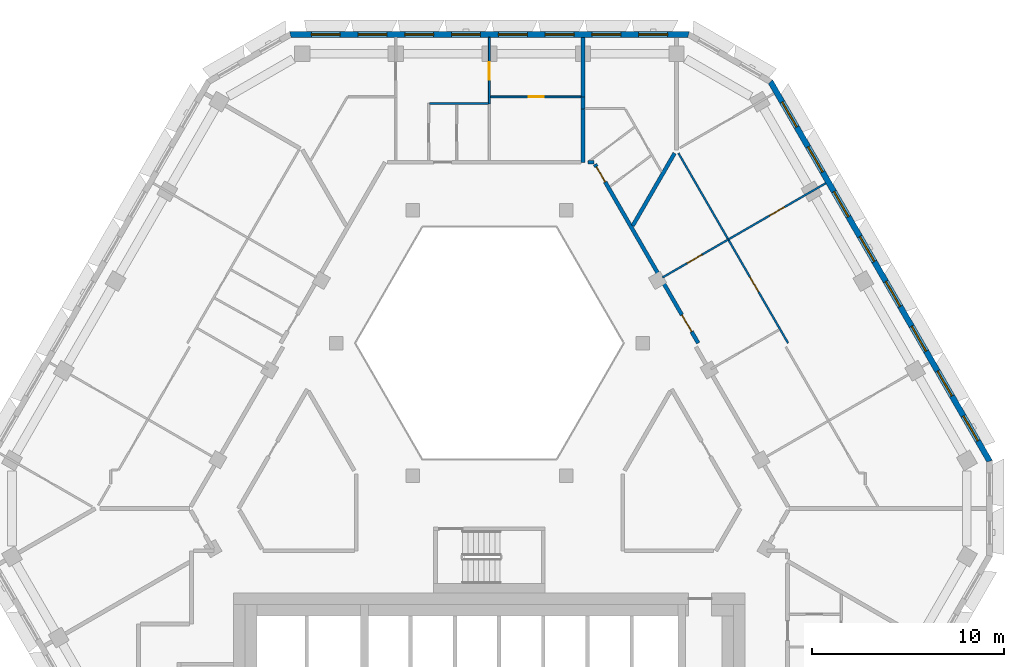
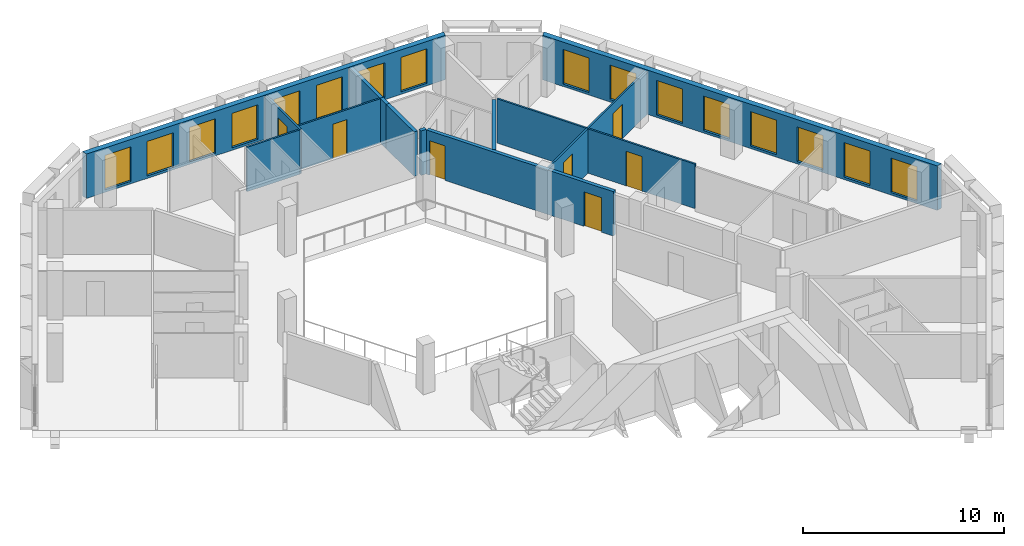
# One storey, part 8 of 17: 16 windows, 14 walls, 7 doors, 23 openings.
"""IFC4 building model written with IfcOpenShell, lengths in metres."""

from ifc_helpers import new_model, si_unit, direction, frame, frame_2d, origin, place, context, subcontext, project, spatial, polyline, rectangle, outline, extrude, material, layer, layer_set, type_object, element, fill, save


model = new_model("IFC4")

# Units and contexts
model_context = context("Model", 3, precision=1e-05, world=origin(), true_north=direction((0.0, 1.0)))
body_context = subcontext(model_context, "Body", "Model", "MODEL_VIEW")
ifc_project = project(units=[si_unit("LENGTHUNIT", "METRE"), si_unit("AREAUNIT", "SQUARE_METRE"), si_unit("VOLUMEUNIT", "CUBIC_METRE"), si_unit("PLANEANGLEUNIT", "RADIAN"), si_unit("MASSUNIT", "GRAM", prefix="KILO")], contexts=[model_context])

# Site, building, storey
site_placement = place(None, origin())
site = spatial("IfcSite", under=ifc_project, at=site_placement, CompositionType="ELEMENT")
building_placement = place(site_placement, origin())
building = spatial("IfcBuilding", under=site, at=building_placement, Name="Beryl Residences", CompositionType="ELEMENT")
storey_placement = place(building_placement, frame((0.0, 0.0, 172.199951171875)))
storey = spatial("IfcBuildingStorey", under=building, at=storey_placement, Name="L52", CompositionType="ELEMENT", Elevation=172.199951171875)

# Wall, openings, windows
ifc_material_1 = material(Name="Composite metal panel with mineral wool insulation")
ifc_layer_1 = layer(ifc_material_1, 0.300048828125)
ifc_layer_set_1 = layer_set([ifc_layer_1], Name="ES1 pale metal composite panel wall 300 mm")
wall_type_1 = type_object("IfcWallType", Name="ES1 pale metal composite panel wall 300 mm", PredefinedType="SOLIDWALL", material=ifc_layer_set_1)
wall_1_placement = place(storey_placement, frame((10.39208984375, 24.050048828125, 0.0), z_axis=(0.0, 0.0, 1.0), x_axis=(-1.0, 0.0, 0.0)))
wall_1 = element("IfcWall", 1, at=wall_1_placement, inside=storey, type_object=wall_type_1, Name="ES1 external wall L52 N", PredefinedType="SOLIDWALL", context=body_context, shape_type="SweptSolid", body=[
    extrude(outline(polyline([(0.0, -0.14990234375), (20.7841796875, -0.14990234375), (20.703857421875, 0.14990234375), (0.080322265625, 0.14990234375), (0.0, -0.14990234375)])), origin(), (0.0, 0.0, 1.0), 2.699951171875),
])
opening_1_placement = place(wall_1_placement, frame((1.1298828125, 0.0, 0.14990234375)))
opening_1 = element("IfcOpeningElement", 2, at=opening_1_placement, cuts=wall_1, Name="Opening W1", PredefinedType="OPENING", context=body_context, shape_type="SweptSolid", body=[
    extrude(rectangle(XDim=1.5, YDim=2.10009765625, at=frame_2d((0.75, 1.050048828125))), frame((0.0, 0.159912109375, 0.0), z_axis=(0.0, -1.0, 0.0), x_axis=(1.0, 0.0, 0.0)), (0.0, 0.0, 1.0), 0.320068359375),
])
opening_2_placement = place(wall_1_placement, frame((3.56201171875, 0.0, 0.14990234375)))
opening_2 = element("IfcOpeningElement", 3, at=opening_2_placement, cuts=wall_1, Name="Opening W1", PredefinedType="OPENING", context=body_context, shape_type="SweptSolid", body=[
    extrude(rectangle(XDim=1.5, YDim=2.10009765625, at=frame_2d((0.75, 1.050048828125))), frame((0.0, 0.159912109375, 0.0), z_axis=(0.0, -1.0, 0.0), x_axis=(1.0, 0.0, 0.0)), (0.0, 0.0, 1.0), 0.320068359375),
])
opening_3_placement = place(wall_1_placement, frame((5.993896484375, 0.0, 0.14990234375)))
opening_3 = element("IfcOpeningElement", 4, at=opening_3_placement, cuts=wall_1, Name="Opening W1", PredefinedType="OPENING", context=body_context, shape_type="SweptSolid", body=[
    extrude(rectangle(XDim=1.5, YDim=2.10009765625, at=frame_2d((0.75, 1.050048828125))), frame((0.0, 0.159912109375, 0.0), z_axis=(0.0, -1.0, 0.0), x_axis=(1.0, 0.0, 0.0)), (0.0, 0.0, 1.0), 0.320068359375),
])
opening_4_placement = place(wall_1_placement, frame((8.426025390625, 0.0, 0.14990234375)))
opening_4 = element("IfcOpeningElement", 5, at=opening_4_placement, cuts=wall_1, Name="Opening W1", PredefinedType="OPENING", context=body_context, shape_type="SweptSolid", body=[
    extrude(rectangle(XDim=1.5, YDim=2.10009765625, at=frame_2d((0.75, 1.050048828125))), frame((0.0, 0.159912109375, 0.0), z_axis=(0.0, -1.0, 0.0), x_axis=(1.0, 0.0, 0.0)), (0.0, 0.0, 1.0), 0.320068359375),
])
opening_5_placement = place(wall_1_placement, frame((10.85791015625, 0.0, 0.14990234375)))
opening_5 = element("IfcOpeningElement", 6, at=opening_5_placement, cuts=wall_1, Name="Opening W1", PredefinedType="OPENING", context=body_context, shape_type="SweptSolid", body=[
    extrude(rectangle(XDim=1.5, YDim=2.10009765625, at=frame_2d((0.75, 1.050048828125))), frame((0.0, 0.159912109375, 0.0), z_axis=(0.0, -1.0, 0.0), x_axis=(1.0, 0.0, 0.0)), (0.0, 0.0, 1.0), 0.320068359375),
])
opening_6_placement = place(wall_1_placement, frame((13.2900390625, 0.0, 0.14990234375)))
opening_6 = element("IfcOpeningElement", 7, at=opening_6_placement, cuts=wall_1, Name="Opening W1", PredefinedType="OPENING", context=body_context, shape_type="SweptSolid", body=[
    extrude(rectangle(XDim=1.5, YDim=2.10009765625, at=frame_2d((0.75, 1.050048828125))), frame((0.0, 0.159912109375, 0.0), z_axis=(0.0, -1.0, 0.0), x_axis=(1.0, 0.0, 0.0)), (0.0, 0.0, 1.0), 0.320068359375),
])
opening_7_placement = place(wall_1_placement, frame((15.721923828125, 0.0, 0.14990234375)))
opening_7 = element("IfcOpeningElement", 8, at=opening_7_placement, cuts=wall_1, Name="Opening W1", PredefinedType="OPENING", context=body_context, shape_type="SweptSolid", body=[
    extrude(rectangle(XDim=1.5, YDim=2.10009765625, at=frame_2d((0.75, 1.050048828125))), frame((0.0, 0.159912109375, 0.0), z_axis=(0.0, -1.0, 0.0), x_axis=(1.0, 0.0, 0.0)), (0.0, 0.0, 1.0), 0.320068359375),
])
opening_8_placement = place(wall_1_placement, frame((18.154052734375, 0.0, 0.14990234375)))
opening_8 = element("IfcOpeningElement", 9, at=opening_8_placement, cuts=wall_1, Name="Opening W1", PredefinedType="OPENING", context=body_context, shape_type="SweptSolid", body=[
    extrude(rectangle(XDim=1.5, YDim=2.10009765625, at=frame_2d((0.75, 1.050048828125))), frame((0.0, 0.159912109375, 0.0), z_axis=(0.0, -1.0, 0.0), x_axis=(1.0, 0.0, 0.0)), (0.0, 0.0, 1.0), 0.320068359375),
])
ifc_material_2 = material(Name="Aluminium and clear glass", Category="aluminium")
window_type = type_object("IfcWindowType", Name="W1 cell window 1500 x 2100 mm", PartitioningType="SINGLE_PANEL", PredefinedType="WINDOW", material=ifc_material_2)
window_1_placement = place(opening_1_placement, origin())
window_1 = element("IfcWindow", 10, at=window_1_placement, inside=storey, type_object=window_type, Name="W1 window L52 N 1", OverallHeight=2.10009765625, OverallWidth=1.5, PartitioningType="SINGLE_PANEL", PredefinedType="WINDOW", context=body_context, shape_type="SweptSolid", body=[
    extrude(rectangle(XDim=1.5, YDim=2.10009765625, at=frame_2d((0.75, 1.050048828125))), frame((0.0, 0.030029296875, 0.0), z_axis=(0.0, -1.0, 0.0), x_axis=(1.0, 0.0, 0.0)), (0.0, 0.0, 1.0), 0.06005859375),
])
fill(opening_1, window_1)
window_2_placement = place(opening_2_placement, origin())
window_2 = element("IfcWindow", 11, at=window_2_placement, inside=storey, type_object=window_type, Name="W1 window L52 N 2", OverallHeight=2.10009765625, OverallWidth=1.5, PartitioningType="SINGLE_PANEL", PredefinedType="WINDOW", context=body_context, shape_type="SweptSolid", body=[
    extrude(rectangle(XDim=1.5, YDim=2.10009765625, at=frame_2d((0.75, 1.050048828125))), frame((0.0, 0.030029296875, 0.0), z_axis=(0.0, -1.0, 0.0), x_axis=(1.0, 0.0, 0.0)), (0.0, 0.0, 1.0), 0.06005859375),
])
fill(opening_2, window_2)
window_3_placement = place(opening_3_placement, origin())
window_3 = element("IfcWindow", 12, at=window_3_placement, inside=storey, type_object=window_type, Name="W1 window L52 N 3", OverallHeight=2.10009765625, OverallWidth=1.5, PartitioningType="SINGLE_PANEL", PredefinedType="WINDOW", context=body_context, shape_type="SweptSolid", body=[
    extrude(rectangle(XDim=1.5, YDim=2.10009765625, at=frame_2d((0.75, 1.050048828125))), frame((0.0, 0.030029296875, 0.0), z_axis=(0.0, -1.0, 0.0), x_axis=(1.0, 0.0, 0.0)), (0.0, 0.0, 1.0), 0.06005859375),
])
fill(opening_3, window_3)
window_4_placement = place(opening_4_placement, origin())
window_4 = element("IfcWindow", 13, at=window_4_placement, inside=storey, type_object=window_type, Name="W1 window L52 N 4", OverallHeight=2.10009765625, OverallWidth=1.5, PartitioningType="SINGLE_PANEL", PredefinedType="WINDOW", context=body_context, shape_type="SweptSolid", body=[
    extrude(rectangle(XDim=1.5, YDim=2.10009765625, at=frame_2d((0.75, 1.050048828125))), frame((0.0, 0.030029296875, 0.0), z_axis=(0.0, -1.0, 0.0), x_axis=(1.0, 0.0, 0.0)), (0.0, 0.0, 1.0), 0.06005859375),
])
fill(opening_4, window_4)
window_5_placement = place(opening_5_placement, origin())
window_5 = element("IfcWindow", 14, at=window_5_placement, inside=storey, type_object=window_type, Name="W1 window L52 N 5", OverallHeight=2.10009765625, OverallWidth=1.5, PartitioningType="SINGLE_PANEL", PredefinedType="WINDOW", context=body_context, shape_type="SweptSolid", body=[
    extrude(rectangle(XDim=1.5, YDim=2.10009765625, at=frame_2d((0.75, 1.050048828125))), frame((0.0, 0.030029296875, 0.0), z_axis=(0.0, -1.0, 0.0), x_axis=(1.0, 0.0, 0.0)), (0.0, 0.0, 1.0), 0.06005859375),
])
fill(opening_5, window_5)
window_6_placement = place(opening_6_placement, origin())
window_6 = element("IfcWindow", 15, at=window_6_placement, inside=storey, type_object=window_type, Name="W1 window L52 N 6", OverallHeight=2.10009765625, OverallWidth=1.5, PartitioningType="SINGLE_PANEL", PredefinedType="WINDOW", context=body_context, shape_type="SweptSolid", body=[
    extrude(rectangle(XDim=1.5, YDim=2.10009765625, at=frame_2d((0.75, 1.050048828125))), frame((0.0, 0.030029296875, 0.0), z_axis=(0.0, -1.0, 0.0), x_axis=(1.0, 0.0, 0.0)), (0.0, 0.0, 1.0), 0.06005859375),
])
fill(opening_6, window_6)
window_7_placement = place(opening_7_placement, origin())
window_7 = element("IfcWindow", 16, at=window_7_placement, inside=storey, type_object=window_type, Name="W1 window L52 N 7", OverallHeight=2.10009765625, OverallWidth=1.5, PartitioningType="SINGLE_PANEL", PredefinedType="WINDOW", context=body_context, shape_type="SweptSolid", body=[
    extrude(rectangle(XDim=1.5, YDim=2.10009765625, at=frame_2d((0.75, 1.050048828125))), frame((0.0, 0.030029296875, 0.0), z_axis=(0.0, -1.0, 0.0), x_axis=(1.0, 0.0, 0.0)), (0.0, 0.0, 1.0), 0.06005859375),
])
fill(opening_7, window_7)
window_8_placement = place(opening_8_placement, origin())
window_8 = element("IfcWindow", 17, at=window_8_placement, inside=storey, type_object=window_type, Name="W1 window L52 N 8", OverallHeight=2.10009765625, OverallWidth=1.5, PartitioningType="SINGLE_PANEL", PredefinedType="WINDOW", context=body_context, shape_type="SweptSolid", body=[
    extrude(rectangle(XDim=1.5, YDim=2.10009765625, at=frame_2d((0.75, 1.050048828125))), frame((0.0, 0.030029296875, 0.0), z_axis=(0.0, -1.0, 0.0), x_axis=(1.0, 0.0, 0.0)), (0.0, 0.0, 1.0), 0.06005859375),
])
fill(opening_8, window_8)

wall_2_placement = place(storey_placement, frame((26.02392578125, 1.824951171875, 0.0), z_axis=(0.0, 0.0, 1.0), x_axis=(-0.500010537973, 0.866019319597, 0.0)))
wall_2 = element("IfcWall", 18, at=wall_2_placement, inside=storey, type_object=wall_type_1, Name="ES1 external wall L52 NE", PredefinedType="SOLIDWALL", context=body_context, shape_type="SweptSolid", body=[
    extrude(outline(polyline([(0.0, -0.14990234375), (22.86328125, -0.14990234375), (22.782958984375, 0.14990234375), (0.080322265625, 0.14990234375), (0.0, -0.14990234375)])), origin(), (0.0, 0.0, 1.0), 2.699951171875),
])
opening_9_placement = place(wall_2_placement, frame((1.259033203125, 0.0, 0.14990234375)))
opening_9 = element("IfcOpeningElement", 19, at=opening_9_placement, cuts=wall_2, Name="Opening W1", PredefinedType="OPENING", context=body_context, shape_type="SweptSolid", body=[
    extrude(rectangle(XDim=1.5, YDim=2.10009765625, at=frame_2d((0.75, 1.050048828125))), frame((0.0, 0.159912109375, 0.0), z_axis=(0.0, -1.0, 0.0), x_axis=(1.0, 0.0, 0.0)), (0.0, 0.0, 1.0), 0.320068359375),
])
opening_10_placement = place(wall_2_placement, frame((3.951904296875, 0.0, 0.14990234375)))
opening_10 = element("IfcOpeningElement", 20, at=opening_10_placement, cuts=wall_2, Name="Opening W1", PredefinedType="OPENING", context=body_context, shape_type="SweptSolid", body=[
    extrude(rectangle(XDim=1.5, YDim=2.10009765625, at=frame_2d((0.75, 1.050048828125))), frame((0.0, 0.159912109375, 0.0), z_axis=(0.0, -1.0, 0.0), x_axis=(1.0, 0.0, 0.0)), (0.0, 0.0, 1.0), 0.320068359375),
])
opening_11_placement = place(wall_2_placement, frame((6.64404296875, 0.0, 0.14990234375)))
opening_11 = element("IfcOpeningElement", 21, at=opening_11_placement, cuts=wall_2, Name="Opening W1", PredefinedType="OPENING", context=body_context, shape_type="SweptSolid", body=[
    extrude(rectangle(XDim=1.5, YDim=2.10009765625, at=frame_2d((0.75, 1.050048828125))), frame((0.0, 0.159912109375, 0.0), z_axis=(0.0, -1.0, 0.0), x_axis=(1.0, 0.0, 0.0)), (0.0, 0.0, 1.0), 0.320068359375),
])
opening_12_placement = place(wall_2_placement, frame((9.3349609375, 0.0, 0.14990234375)))
opening_12 = element("IfcOpeningElement", 22, at=opening_12_placement, cuts=wall_2, Name="Opening W1", PredefinedType="OPENING", context=body_context, shape_type="SweptSolid", body=[
    extrude(rectangle(XDim=1.5, YDim=2.10009765625, at=frame_2d((0.75, 1.050048828125))), frame((0.0, 0.159912109375, 0.0), z_axis=(0.0, -1.0, 0.0), x_axis=(1.0, 0.0, 0.0)), (0.0, 0.0, 1.0), 0.320068359375),
])
opening_13_placement = place(wall_2_placement, frame((12.028076171875, 0.0, 0.14990234375)))
opening_13 = element("IfcOpeningElement", 23, at=opening_13_placement, cuts=wall_2, Name="Opening W1", PredefinedType="OPENING", context=body_context, shape_type="SweptSolid", body=[
    extrude(rectangle(XDim=1.5, YDim=2.10009765625, at=frame_2d((0.75, 1.050048828125))), frame((0.0, 0.159912109375, 0.0), z_axis=(0.0, -1.0, 0.0), x_axis=(1.0, 0.0, 0.0)), (0.0, 0.0, 1.0), 0.320068359375),
])
opening_14_placement = place(wall_2_placement, frame((14.719970703125, 0.0, 0.14990234375)))
opening_14 = element("IfcOpeningElement", 24, at=opening_14_placement, cuts=wall_2, Name="Opening W1", PredefinedType="OPENING", context=body_context, shape_type="SweptSolid", body=[
    extrude(rectangle(XDim=1.5, YDim=2.10009765625, at=frame_2d((0.75, 1.050048828125))), frame((0.0, 0.159912109375, 0.0), z_axis=(0.0, -1.0, 0.0), x_axis=(1.0, 0.0, 0.0)), (0.0, 0.0, 1.0), 0.320068359375),
])
opening_15_placement = place(wall_2_placement, frame((17.410888671875, 0.0, 0.14990234375)))
opening_15 = element("IfcOpeningElement", 25, at=opening_15_placement, cuts=wall_2, Name="Opening W1", PredefinedType="OPENING", context=body_context, shape_type="SweptSolid", body=[
    extrude(rectangle(XDim=1.5, YDim=2.10009765625, at=frame_2d((0.75, 1.050048828125))), frame((0.0, 0.159912109375, 0.0), z_axis=(0.0, -1.0, 0.0), x_axis=(1.0, 0.0, 0.0)), (0.0, 0.0, 1.0), 0.320068359375),
])
opening_16_placement = place(wall_2_placement, frame((20.10400390625, 0.0, 0.14990234375)))
opening_16 = element("IfcOpeningElement", 26, at=opening_16_placement, cuts=wall_2, Name="Opening W1", PredefinedType="OPENING", context=body_context, shape_type="SweptSolid", body=[
    extrude(rectangle(XDim=1.5, YDim=2.10009765625, at=frame_2d((0.75, 1.050048828125))), frame((0.0, 0.159912109375, 0.0), z_axis=(0.0, -1.0, 0.0), x_axis=(1.0, 0.0, 0.0)), (0.0, 0.0, 1.0), 0.320068359375),
])
window_9_placement = place(opening_9_placement, origin())
window_9 = element("IfcWindow", 27, at=window_9_placement, inside=storey, type_object=window_type, Name="W1 window L52 NE 1", OverallHeight=2.10009765625, OverallWidth=1.5, PartitioningType="SINGLE_PANEL", PredefinedType="WINDOW", context=body_context, shape_type="SweptSolid", body=[
    extrude(rectangle(XDim=1.5, YDim=2.10009765625, at=frame_2d((0.75, 1.050048828125))), frame((0.0, 0.030029296875, 0.0), z_axis=(0.0, -1.0, 0.0), x_axis=(1.0, 0.0, 0.0)), (0.0, 0.0, 1.0), 0.06005859375),
])
fill(opening_9, window_9)
window_10_placement = place(opening_10_placement, origin())
window_10 = element("IfcWindow", 28, at=window_10_placement, inside=storey, type_object=window_type, Name="W1 window L52 NE 2", OverallHeight=2.10009765625, OverallWidth=1.5, PartitioningType="SINGLE_PANEL", PredefinedType="WINDOW", context=body_context, shape_type="SweptSolid", body=[
    extrude(rectangle(XDim=1.5, YDim=2.10009765625, at=frame_2d((0.75, 1.050048828125))), frame((0.0, 0.030029296875, 0.0), z_axis=(0.0, -1.0, 0.0), x_axis=(1.0, 0.0, 0.0)), (0.0, 0.0, 1.0), 0.06005859375),
])
fill(opening_10, window_10)
window_11_placement = place(opening_11_placement, origin())
window_11 = element("IfcWindow", 29, at=window_11_placement, inside=storey, type_object=window_type, Name="W1 window L52 NE 3", OverallHeight=2.10009765625, OverallWidth=1.5, PartitioningType="SINGLE_PANEL", PredefinedType="WINDOW", context=body_context, shape_type="SweptSolid", body=[
    extrude(rectangle(XDim=1.5, YDim=2.10009765625, at=frame_2d((0.75, 1.050048828125))), frame((0.0, 0.030029296875, 0.0), z_axis=(0.0, -1.0, 0.0), x_axis=(1.0, 0.0, 0.0)), (0.0, 0.0, 1.0), 0.06005859375),
])
fill(opening_11, window_11)
window_12_placement = place(opening_12_placement, origin())
window_12 = element("IfcWindow", 30, at=window_12_placement, inside=storey, type_object=window_type, Name="W1 window L52 NE 4", OverallHeight=2.10009765625, OverallWidth=1.5, PartitioningType="SINGLE_PANEL", PredefinedType="WINDOW", context=body_context, shape_type="SweptSolid", body=[
    extrude(rectangle(XDim=1.5, YDim=2.10009765625, at=frame_2d((0.75, 1.050048828125))), frame((0.0, 0.030029296875, 0.0), z_axis=(0.0, -1.0, 0.0), x_axis=(1.0, 0.0, 0.0)), (0.0, 0.0, 1.0), 0.06005859375),
])
fill(opening_12, window_12)
window_13_placement = place(opening_13_placement, origin())
window_13 = element("IfcWindow", 31, at=window_13_placement, inside=storey, type_object=window_type, Name="W1 window L52 NE 5", OverallHeight=2.10009765625, OverallWidth=1.5, PartitioningType="SINGLE_PANEL", PredefinedType="WINDOW", context=body_context, shape_type="SweptSolid", body=[
    extrude(rectangle(XDim=1.5, YDim=2.10009765625, at=frame_2d((0.75, 1.050048828125))), frame((0.0, 0.030029296875, 0.0), z_axis=(0.0, -1.0, 0.0), x_axis=(1.0, 0.0, 0.0)), (0.0, 0.0, 1.0), 0.06005859375),
])
fill(opening_13, window_13)
window_14_placement = place(opening_14_placement, origin())
window_14 = element("IfcWindow", 32, at=window_14_placement, inside=storey, type_object=window_type, Name="W1 window L52 NE 6", OverallHeight=2.10009765625, OverallWidth=1.5, PartitioningType="SINGLE_PANEL", PredefinedType="WINDOW", context=body_context, shape_type="SweptSolid", body=[
    extrude(rectangle(XDim=1.5, YDim=2.10009765625, at=frame_2d((0.75, 1.050048828125))), frame((0.0, 0.030029296875, 0.0), z_axis=(0.0, -1.0, 0.0), x_axis=(1.0, 0.0, 0.0)), (0.0, 0.0, 1.0), 0.06005859375),
])
fill(opening_14, window_14)
window_15_placement = place(opening_15_placement, origin())
window_15 = element("IfcWindow", 33, at=window_15_placement, inside=storey, type_object=window_type, Name="W1 window L52 NE 7", OverallHeight=2.10009765625, OverallWidth=1.5, PartitioningType="SINGLE_PANEL", PredefinedType="WINDOW", context=body_context, shape_type="SweptSolid", body=[
    extrude(rectangle(XDim=1.5, YDim=2.10009765625, at=frame_2d((0.75, 1.050048828125))), frame((0.0, 0.030029296875, 0.0), z_axis=(0.0, -1.0, 0.0), x_axis=(1.0, 0.0, 0.0)), (0.0, 0.0, 1.0), 0.06005859375),
])
fill(opening_15, window_15)
window_16_placement = place(opening_16_placement, origin())
window_16 = element("IfcWindow", 34, at=window_16_placement, inside=storey, type_object=window_type, Name="W1 window L52 NE 8", OverallHeight=2.10009765625, OverallWidth=1.5, PartitioningType="SINGLE_PANEL", PredefinedType="WINDOW", context=body_context, shape_type="SweptSolid", body=[
    extrude(rectangle(XDim=1.5, YDim=2.10009765625, at=frame_2d((0.75, 1.050048828125))), frame((0.0, 0.030029296875, 0.0), z_axis=(0.0, -1.0, 0.0), x_axis=(1.0, 0.0, 0.0)), (0.0, 0.0, 1.0), 0.06005859375),
])
fill(opening_16, window_16)

# Wall, opening, door
ifc_material_3 = material(Name="Gypsum board partition on steel studs", Category="steel")
ifc_layer_2 = layer(ifc_material_3, 0.10009765625)
ifc_layer_set_2 = layer_set([ifc_layer_2], Name="PT1 partition 100 mm gypsum board on steel studs")
wall_type_2 = type_object("IfcWallType", Name="PT1 partition 100 mm gypsum board on steel studs", PredefinedType="PARTITIONING", material=ifc_layer_set_2)
wall_3_placement = place(storey_placement, frame((9.826904296875, 17.8740234375, 0.0), z_axis=(0.0, 0.0, 1.0), x_axis=(0.499962189394, -0.866047232647, 0.0)))
wall_3 = element("IfcWall", 35, at=wall_3_placement, inside=storey, type_object=wall_type_2, Name="Wall PT1 L52 004", PredefinedType="PARTITIONING", context=body_context, shape_type="SweptSolid", body=[
    extrude(rectangle(XDim=11.4013671875, YDim=0.10009765625, at=frame_2d((5.70068359375, 0.0))), origin(), (0.0, 0.0, 1.0), 2.699951171875),
])
opening_17_placement = place(wall_3_placement, frame((7.43310546875, 0.0, 0.0)))
opening_17 = element("IfcOpeningElement", 36, at=opening_17_placement, cuts=wall_3, Name="Opening D1427", PredefinedType="OPENING", context=body_context, shape_type="SweptSolid", body=[
    extrude(rectangle(XDim=0.89990234375, YDim=2.10009765625, at=frame_2d((0.449951171875, 1.050048828125))), frame((0.0, 0.06005859375, 0.0), z_axis=(0.0, -1.0, 0.0), x_axis=(1.0, 0.0, 0.0)), (0.0, 0.0, 1.0), 0.1201171875),
])
ifc_material_4 = material(Name="Timber door leaf", Category="wood")
door_type_1 = type_object("IfcDoorType", Name="D2 room door 900 x 2100 mm", OperationType="SINGLE_SWING_LEFT", PredefinedType="DOOR", material=ifc_material_4)
door_1_placement = place(opening_17_placement, origin())
door_1 = element("IfcDoor", 37, at=door_1_placement, inside=storey, type_object=door_type_1, Name="Door D1427 L52 001", OperationType="SINGLE_SWING_LEFT", OverallHeight=2.10009765625, OverallWidth=0.89990234375, PredefinedType="DOOR", context=body_context, shape_type="SweptSolid", body=[
    extrude(rectangle(XDim=0.89990234375, YDim=2.10009765625, at=frame_2d((0.449951171875, 1.050048828125))), frame((0.0, 0.02490234375, 0.0), z_axis=(0.0, -1.0, 0.0), x_axis=(1.0, 0.0, 0.0)), (0.0, 0.0, 1.0), 0.050048828125),
])
fill(opening_17, door_1)

# Wall
wall_4_placement = place(storey_placement, frame((-3.111083984375, 20.4599609375, 0.0), z_axis=(0.0, 0.0, 1.0), x_axis=(1.0, 0.0, 0.0)))
element("IfcWall", 38, at=wall_4_placement, inside=storey, type_object=wall_type_2, Name="Wall PT1 L52 018", PredefinedType="PARTITIONING", context=body_context, shape_type="SweptSolid", body=[
    extrude(rectangle(XDim=3.06103515625, YDim=0.10009765625, at=frame_2d((1.530517578125, 0.0))), origin(), (0.0, 0.0, 1.0), 2.699951171875),
])

# Wall, opening, door
wall_5_placement = place(storey_placement, frame((0.050048828125, 20.799072265625, 0.0), z_axis=(0.0, 0.0, 1.0), x_axis=(1.0, 0.0, 0.0)))
wall_5 = element("IfcWall", 39, at=wall_5_placement, inside=storey, type_object=wall_type_2, Name="Wall PT1 L52 020", PredefinedType="PARTITIONING", context=body_context, shape_type="SweptSolid", body=[
    extrude(rectangle(XDim=4.7138671875, YDim=0.10009765625, at=frame_2d((2.35693359375, 0.0))), origin(), (0.0, 0.0, 1.0), 2.699951171875),
])
opening_18_placement = place(wall_5_placement, frame((1.98193359375, 0.0, 0.0)))
opening_18 = element("IfcOpeningElement", 40, at=opening_18_placement, cuts=wall_5, Name="Opening D1406", PredefinedType="OPENING", context=body_context, shape_type="SweptSolid", body=[
    extrude(rectangle(XDim=0.800048828125, YDim=2.10009765625, at=frame_2d((0.39990234375, 1.050048828125))), frame((0.0, 0.06005859375, 0.0), z_axis=(0.0, -1.0, 0.0), x_axis=(1.0, 0.0, 0.0)), (0.0, 0.0, 1.0), 0.1201171875),
])
ifc_material_5 = material(Name="Timber door leaf", Category="wood")
door_type_2 = type_object("IfcDoorType", Name="D3 bathroom door 800 x 2100 mm", OperationType="SINGLE_SWING_LEFT", PredefinedType="DOOR", material=ifc_material_5)
door_2_placement = place(opening_18_placement, origin())
door_2 = element("IfcDoor", 41, at=door_2_placement, inside=storey, type_object=door_type_2, Name="Door D1406 L52 001", OperationType="SINGLE_SWING_RIGHT", OverallHeight=2.10009765625, OverallWidth=0.800048828125, PredefinedType="DOOR", context=body_context, shape_type="SweptSolid", body=[
    extrude(rectangle(XDim=0.800048828125, YDim=2.10009765625, at=frame_2d((0.39990234375, 1.050048828125))), frame((0.0, 0.02490234375, 0.0), z_axis=(0.0, -1.0, 0.0), x_axis=(1.0, 0.0, 0.0)), (0.0, 0.0, 1.0), 0.050048828125),
])
fill(opening_18, door_2)

wall_6_placement = place(storey_placement, frame((0.0, 20.43994140625, 0.0), z_axis=(0.0, 0.0, 1.0), x_axis=(0.0, 1.0, 0.0)))
wall_6 = element("IfcWall", 42, at=wall_6_placement, inside=storey, type_object=wall_type_2, Name="Wall PT1 L52 027", PredefinedType="PARTITIONING", context=body_context, shape_type="SweptSolid", body=[
    extrude(rectangle(XDim=3.4599609375, YDim=0.10009765625, at=frame_2d((1.72998046875, 0.0))), origin(), (0.0, 0.0, 1.0), 2.699951171875),
])
opening_19_placement = place(wall_6_placement, frame((1.260009765625, 0.0, 0.0)))
opening_19 = element("IfcOpeningElement", 43, at=opening_19_placement, cuts=wall_6, Name="Opening D1405", PredefinedType="OPENING", context=body_context, shape_type="SweptSolid", body=[
    extrude(rectangle(XDim=0.89990234375, YDim=2.10009765625, at=frame_2d((0.449951171875, 1.050048828125))), frame((0.0, 0.06005859375, 0.0), z_axis=(0.0, -1.0, 0.0), x_axis=(1.0, 0.0, 0.0)), (0.0, 0.0, 1.0), 0.1201171875),
])
door_3_placement = place(opening_19_placement, origin())
door_3 = element("IfcDoor", 44, at=door_3_placement, inside=storey, type_object=door_type_1, Name="Door D1405 L52 001", OperationType="SINGLE_SWING_LEFT", OverallHeight=2.10009765625, OverallWidth=0.89990234375, PredefinedType="DOOR", context=body_context, shape_type="SweptSolid", body=[
    extrude(rectangle(XDim=0.89990234375, YDim=2.10009765625, at=frame_2d((0.449951171875, 1.050048828125))), frame((0.0, 0.02490234375, 0.0), z_axis=(0.0, -1.0, 0.0), x_axis=(1.0, 0.0, 0.0)), (0.0, 0.0, 1.0), 0.050048828125),
])
fill(opening_19, door_3)

wall_7_placement = place(storey_placement, frame((8.9990234375, 11.4130859375, 0.0), z_axis=(0.0, 0.0, 1.0), x_axis=(0.865969252911, 0.500097243556, 0.0)))
wall_7 = element("IfcWall", 45, at=wall_7_placement, inside=storey, type_object=wall_type_2, Name="Wall PT1 L52 034", PredefinedType="PARTITIONING", context=body_context, shape_type="SweptSolid", body=[
    extrude(rectangle(XDim=3.947021484375, YDim=0.10009765625, at=frame_2d((1.9736328125, 0.0))), origin(), (0.0, 0.0, 1.0), 2.699951171875),
])
opening_20_placement = place(wall_7_placement, frame((1.47412109375, 0.0, 0.0)))
opening_20 = element("IfcOpeningElement", 46, at=opening_20_placement, cuts=wall_7, Name="Opening D1429", PredefinedType="OPENING", context=body_context, shape_type="SweptSolid", body=[
    extrude(rectangle(XDim=0.89990234375, YDim=2.10009765625, at=frame_2d((0.449951171875, 1.050048828125))), frame((0.0, 0.06005859375, 0.0), z_axis=(0.0, -1.0, 0.0), x_axis=(1.0, 0.0, 0.0)), (0.0, 0.0, 1.0), 0.1201171875),
])
door_4_placement = place(opening_20_placement, origin())
door_4 = element("IfcDoor", 47, at=door_4_placement, inside=storey, type_object=door_type_1, Name="Door D1429 L52 001", OperationType="SINGLE_SWING_LEFT", OverallHeight=2.10009765625, OverallWidth=0.89990234375, PredefinedType="DOOR", context=body_context, shape_type="SweptSolid", body=[
    extrude(rectangle(XDim=0.89990234375, YDim=2.10009765625, at=frame_2d((0.449951171875, 1.050048828125))), frame((0.0, 0.02490234375, 0.0), z_axis=(0.0, -1.0, 0.0), x_axis=(1.0, 0.0, 0.0)), (0.0, 0.0, 1.0), 0.050048828125),
])
fill(opening_20, door_4)

wall_8_placement = place(storey_placement, frame((12.4169921875, 13.386962890625, 0.0), z_axis=(0.0, 0.0, 1.0), x_axis=(0.866070981966, 0.499921047963, 0.0)))
wall_8 = element("IfcWall", 48, at=wall_8_placement, inside=storey, type_object=wall_type_2, Name="Wall PT1 L52 039", PredefinedType="PARTITIONING", context=body_context, shape_type="SweptSolid", body=[
    extrude(rectangle(XDim=5.85302734375, YDim=0.10009765625, at=frame_2d((2.926513671875, 0.0))), origin(), (0.0, 0.0, 1.0), 2.699951171875),
])
opening_21_placement = place(wall_8_placement, frame((2.47607421875, 0.0, 0.0)))
opening_21 = element("IfcOpeningElement", 49, at=opening_21_placement, cuts=wall_8, Name="Opening D1431", PredefinedType="OPENING", context=body_context, shape_type="SweptSolid", body=[
    extrude(rectangle(XDim=0.89990234375, YDim=2.10009765625, at=frame_2d((0.449951171875, 1.050048828125))), frame((0.0, 0.06005859375, 0.0), z_axis=(0.0, -1.0, 0.0), x_axis=(1.0, 0.0, 0.0)), (0.0, 0.0, 1.0), 0.1201171875),
])
door_5_placement = place(opening_21_placement, origin())
door_5 = element("IfcDoor", 50, at=door_5_placement, inside=storey, type_object=door_type_1, Name="Door D1431 L52 001", OperationType="SINGLE_SWING_LEFT", OverallHeight=2.10009765625, OverallWidth=0.89990234375, PredefinedType="DOOR", context=body_context, shape_type="SweptSolid", body=[
    extrude(rectangle(XDim=0.89990234375, YDim=2.10009765625, at=frame_2d((0.449951171875, 1.050048828125))), frame((0.0, 0.02490234375, 0.0), z_axis=(0.0, -1.0, 0.0), x_axis=(1.0, 0.0, 0.0)), (0.0, 0.0, 1.0), 0.050048828125),
])
fill(opening_21, door_5)

# Walls
ifc_material_6 = material(Name="Acoustic double stud gypsum board wall")
ifc_layer_3 = layer(ifc_material_6, 0.199951171875)
ifc_layer_set_3 = layer_set([ifc_layer_3], Name="PT3 party wall 200 mm acoustic double stud")
wall_type_3 = type_object("IfcWallType", Name="PT3 party wall 200 mm acoustic double stud", PredefinedType="PARTITIONING", material=ifc_layer_set_3)
wall_9_placement = place(storey_placement, frame((4.864013671875, 20.799072265625, 0.0), z_axis=(0.0, 0.0, 1.0), x_axis=(0.0, -1.0, 0.0)))
element("IfcWall", 51, at=wall_9_placement, inside=storey, type_object=wall_type_3, Name="Wall PT3 L52 002", PredefinedType="PARTITIONING", context=body_context, shape_type="SweptSolid", body=[
    extrude(rectangle(XDim=0.619140625, YDim=0.199951171875, at=frame_2d((0.3095703125, 0.0))), origin(), (0.0, 0.0, 1.0), 2.699951171875),
])
wall_10_placement = place(storey_placement, frame((7.447998046875, 14.10009765625, 0.0), z_axis=(0.0, 0.0, 1.0), x_axis=(0.500013426303, 0.866017651966, 0.0)))
element("IfcWall", 52, at=wall_10_placement, inside=storey, type_object=wall_type_3, Name="Wall PT3 L52 009", PredefinedType="PARTITIONING", context=body_context, shape_type="SweptSolid", body=[
    extrude(rectangle(XDim=4.35791015625, YDim=0.199951171875, at=frame_2d((2.178955078125, 0.0))), origin(), (0.0, 0.0, 1.0), 2.699951171875),
])
wall_11_placement = place(storey_placement, frame((4.864013671875, 17.39990234375, 0.0), z_axis=(0.0, 0.0, 1.0), x_axis=(0.0, 1.0, 0.0)))
element("IfcWall", 53, at=wall_11_placement, inside=storey, type_object=wall_type_3, Name="Wall PT3 L52 010", PredefinedType="PARTITIONING", context=body_context, shape_type="SweptSolid", body=[
    extrude(rectangle(XDim=2.820068359375, YDim=0.199951171875, at=frame_2d((1.41015625, 0.0))), origin(), (0.0, 0.0, 1.0), 2.699951171875),
])
wall_12_placement = place(storey_placement, frame((4.864013671875, 20.799072265625, 0.0), z_axis=(0.0, 0.0, 1.0), x_axis=(0.0, 1.0, 0.0)))
element("IfcWall", 54, at=wall_12_placement, inside=storey, type_object=wall_type_3, Name="Wall PT3 L52 011", PredefinedType="PARTITIONING", context=body_context, shape_type="SweptSolid", body=[
    extrude(rectangle(XDim=3.100830078125, YDim=0.199951171875, at=frame_2d((1.55029296875, 0.0))), origin(), (0.0, 0.0, 1.0), 2.699951171875),
])

# Wall, openings, doors
ifc_material_7 = material(Name="Double stud gypsum board wall")
ifc_layer_4 = layer(ifc_material_7, 0.199951171875)
ifc_layer_set_4 = layer_set([ifc_layer_4], Name="PT4 corridor wall 200 mm double stud")
wall_type_4 = type_object("IfcWallType", Name="PT4 corridor wall 200 mm double stud", PredefinedType="PARTITIONING", material=ifc_layer_set_4)
wall_13_placement = place(storey_placement, frame((5.485107421875, 17.300048828125, 0.0), z_axis=(0.0, 0.0, 1.0), x_axis=(0.499965832213, -0.866045129667, 0.0)))
wall_13 = element("IfcWall", 55, at=wall_13_placement, inside=storey, type_object=wall_type_4, Name="Wall PT4 L52 006", PredefinedType="PARTITIONING", context=body_context, shape_type="SweptSolid", body=[
    extrude(rectangle(XDim=10.738525390625, YDim=0.199951171875, at=frame_2d((5.369140625, 0.0))), origin(), (0.0, 0.0, 1.0), 2.699951171875),
])
opening_22_placement = place(wall_13_placement, frame((9.048095703125, 0.0, 0.0)))
opening_22 = element("IfcOpeningElement", 56, at=opening_22_placement, cuts=wall_13, Name="Opening D1426", PredefinedType="OPENING", context=body_context, shape_type="SweptSolid", body=[
    extrude(rectangle(XDim=1.0, YDim=2.10009765625, at=frame_2d((0.5, 1.050048828125))), frame((0.0, 0.10986328125, 0.0), z_axis=(0.0, -1.0, 0.0), x_axis=(1.0, 0.0, 0.0)), (0.0, 0.0, 1.0), 0.219970703125),
])
opening_23_placement = place(wall_13_placement, frame((0.160888671875, 0.0, 0.0)))
opening_23 = element("IfcOpeningElement", 57, at=opening_23_placement, cuts=wall_13, Name="Opening D1434", PredefinedType="OPENING", context=body_context, shape_type="SweptSolid", body=[
    extrude(rectangle(XDim=0.89990234375, YDim=2.10009765625, at=frame_2d((0.449951171875, 1.050048828125))), frame((0.0, 0.10986328125, 0.0), z_axis=(0.0, -1.0, 0.0), x_axis=(1.0, 0.0, 0.0)), (0.0, 0.0, 1.0), 0.219970703125),
])
ifc_material_8 = material(Name="Timber door leaf", Category="wood")
door_type_3 = type_object("IfcDoorType", Name="D1 flat entrance door 1000 x 2100 mm", OperationType="SINGLE_SWING_LEFT", PredefinedType="DOOR", material=ifc_material_8)
door_6_placement = place(opening_22_placement, origin())
door_6 = element("IfcDoor", 58, at=door_6_placement, inside=storey, type_object=door_type_3, Name="Door D1426 L52 001", OperationType="SINGLE_SWING_RIGHT", OverallHeight=2.10009765625, OverallWidth=1.0, PredefinedType="DOOR", context=body_context, shape_type="SweptSolid", body=[
    extrude(rectangle(XDim=1.0, YDim=2.10009765625, at=frame_2d((0.5, 1.050048828125))), frame((0.0, 0.02490234375, 0.0), z_axis=(0.0, -1.0, 0.0), x_axis=(1.0, 0.0, 0.0)), (0.0, 0.0, 1.0), 0.050048828125),
])
fill(opening_22, door_6)
ifc_material_9 = material(Name="Timber door leaf", Category="wood")
door_type_4 = type_object("IfcDoorType", Name="D11 flat entrance door 900 x 2100 mm", OperationType="SINGLE_SWING_LEFT", PredefinedType="DOOR", material=ifc_material_9)
door_7_placement = place(opening_23_placement, origin())
door_7 = element("IfcDoor", 59, at=door_7_placement, inside=storey, type_object=door_type_4, Name="Door D1434 L52 001", OperationType="SINGLE_SWING_RIGHT", OverallHeight=2.10009765625, OverallWidth=0.89990234375, PredefinedType="DOOR", context=body_context, shape_type="SweptSolid", body=[
    extrude(rectangle(XDim=0.89990234375, YDim=2.10009765625, at=frame_2d((0.449951171875, 1.050048828125))), frame((0.0, 0.02490234375, 0.0), z_axis=(0.0, -1.0, 0.0), x_axis=(1.0, 0.0, 0.0)), (0.0, 0.0, 1.0), 0.050048828125),
])
fill(opening_23, door_7)

# Wall
wall_14_placement = place(storey_placement, frame((5.113037109375, 17.39990234375, 0.0), z_axis=(0.0, 0.0, 1.0), x_axis=(1.0, 0.0, 0.0)))
element("IfcWall", 60, at=wall_14_placement, inside=storey, type_object=wall_type_4, Name="Wall PT4 L52 015", PredefinedType="PARTITIONING", context=body_context, shape_type="SweptSolid", body=[
    extrude(rectangle(XDim=0.31396484375, YDim=0.199951171875, at=frame_2d((0.156982421875, 0.0))), origin(), (0.0, 0.0, 1.0), 2.699951171875),
])

save(model, "model.ifc")
